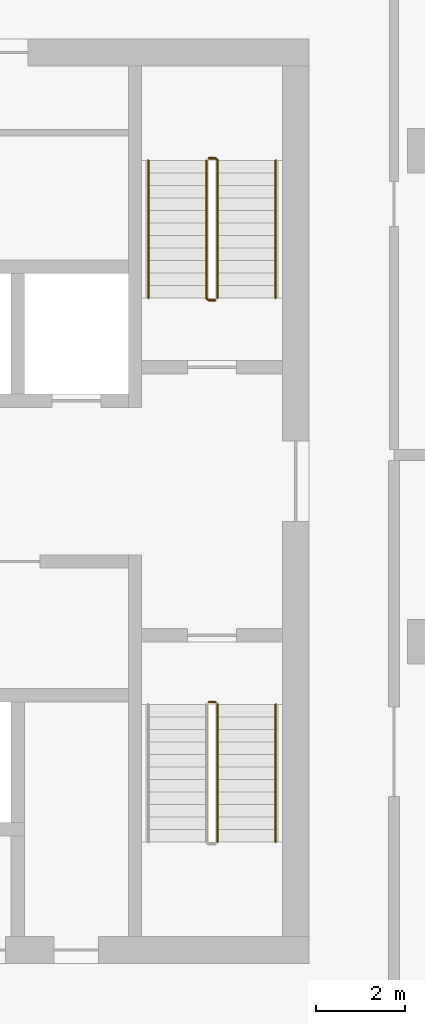
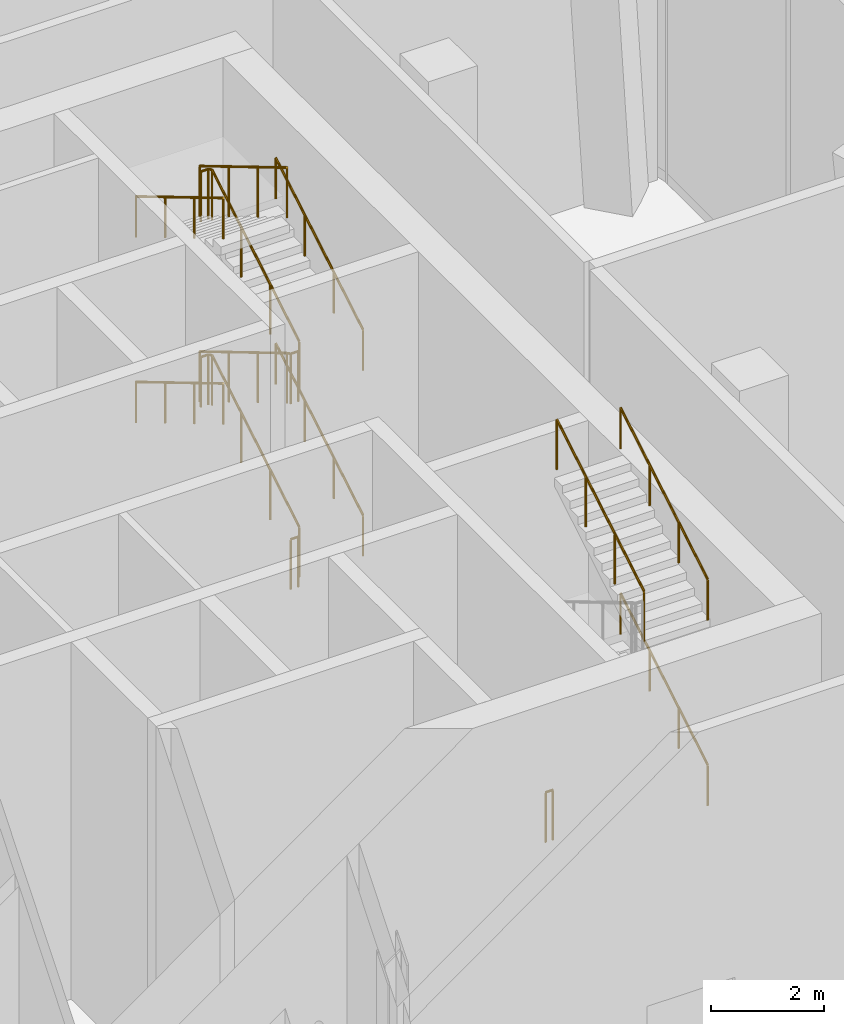
# One storey, part 12 of 13: 13 railings.
"""IFC4 building model written with IfcOpenShell, lengths in metres."""

from ifc_helpers import new_model, si_unit, direction, frame, origin, origin_2d, place, context, subcontext, project, spatial, circle, extrude, material, type_object, element, save


model = new_model("IFC4")

# Units and contexts
model_context = context("Model", 3, precision=1e-05, world=origin(), true_north=direction((0.0, 1.0)))
body_context = subcontext(model_context, "Body", "Model", "MODEL_VIEW")
ifc_project = project(units=[si_unit("LENGTHUNIT", "METRE"), si_unit("AREAUNIT", "SQUARE_METRE"), si_unit("VOLUMEUNIT", "CUBIC_METRE"), si_unit("PLANEANGLEUNIT", "RADIAN"), si_unit("MASSUNIT", "GRAM", prefix="KILO")], contexts=[model_context])

# Site, building, storey
site_placement = place(None, origin())
site = spatial("IfcSite", under=ifc_project, at=site_placement, CompositionType="ELEMENT")
building_placement = place(site_placement, origin())
building = spatial("IfcBuilding", under=site, at=building_placement, Name="Mopane Tessera Tower", CompositionType="ELEMENT")
storey_placement = place(building_placement, frame((0.0, 0.0, 337.39990234375)))
storey = spatial("IfcBuildingStorey", under=building, at=storey_placement, Name="L74", CompositionType="ELEMENT", Elevation=337.39990234375)

# Railings
ifc_material_1 = material(Name="Powder-coated steel balustrade", Category="steel")
railing_type_1 = type_object("IfcRailingType", Name="Escape stair guard 1100 mm", PredefinedType="GUARDRAIL", material=ifc_material_1)
railing_1_placement = place(storey_placement, frame((12.35009765625, -4.47998046875, 6.166748046875)))
element("IfcRailing", 1, at=railing_1_placement, inside=storey, type_object=railing_type_1, Name="L74 ST3 stair guard 4", PredefinedType="GUARDRAIL", context=body_context, shape_type="SweptSolid", body=[
    extrude(circle(Radius=0.02392578125, at=origin_2d()), frame((0.0, 0.0, 1.076171875), z_axis=(0.0, 0.859308565015, 0.511457515432), x_axis=(-1.0, 0.0, 0.0)), (0.0, 0.0, 1.0), 3.58447265625),
    extrude(circle(Radius=0.02099609375, at=origin_2d()), origin(), (0.0, 0.0, 1.0), 1.052001953125),
    extrude(circle(Radius=0.02099609375, at=origin_2d()), frame((0.0, 1.026611328125, 0.611083984375)), (0.0, 0.0, 1.0), 1.052001953125),
    extrude(circle(Radius=0.02099609375, at=origin_2d()), frame((0.0, 2.053466796875, 1.22216796875)), (0.0, 0.0, 1.0), 1.052001953125),
    extrude(circle(Radius=0.02099609375, at=origin_2d()), frame((0.0, 3.080078125, 1.833251953125)), (0.0, 0.0, 1.0), 1.052001953125),
])
railing_2_placement = place(storey_placement, frame((12.14990234375, -1.35009765625, 0.0)))
element("IfcRailing", 2, at=railing_2_placement, inside=storey, type_object=railing_type_1, Name="L74 ST3 stair guard 5", PredefinedType="GUARDRAIL", context=body_context, shape_type="SweptSolid", body=[
    extrude(circle(Radius=0.02392578125, at=origin_2d()), frame((0.0, 0.0, 1.076171875), z_axis=(1.0, 0.0, 0.0), x_axis=(0.0, 1.0, 0.0)), (0.0, 0.0, 1.0), 0.150146484375),
    extrude(circle(Radius=0.02099609375, at=origin_2d()), origin(), (0.0, 0.0, 1.0), 1.052001953125),
    extrude(circle(Radius=0.02099609375, at=origin_2d()), frame((0.150146484375, 0.0, 0.0)), (0.0, 0.0, 1.0), 1.052001953125),
])
railing_3_placement = place(storey_placement, frame((12.35009765625, 7.699951171875, 0.166748046875)))
element("IfcRailing", 3, at=railing_3_placement, inside=storey, type_object=railing_type_1, Name="L74 ST4 stair guard 1", PredefinedType="GUARDRAIL", context=body_context, shape_type="SweptSolid", body=[
    extrude(circle(Radius=0.02392578125, at=origin_2d()), frame((0.0, 0.0, 1.076171875), z_axis=(0.0, 0.859308565015, 0.511457515432), x_axis=(-1.0, 0.0, 0.0)), (0.0, 0.0, 1.0), 3.58447265625),
    extrude(circle(Radius=0.02392578125, at=origin_2d()), frame((0.0, 3.080078125, 2.9091796875), z_axis=(-0.707106781187, 0.707106781187, 0.0), x_axis=(-0.707106781187, -0.707106781187, 0.0)), (0.0, 0.0, 1.0), 0.07080078125),
    extrude(circle(Radius=0.02392578125, at=origin_2d()), frame((-0.050048828125, 3.130126953125, 2.9091796875), z_axis=(-1.0, 0.0, 0.0), x_axis=(0.0, -1.0, 0.0)), (0.0, 0.0, 1.0), 0.150146484375),
    extrude(circle(Radius=0.02099609375, at=origin_2d()), origin(), (0.0, 0.0, 1.0), 1.052001953125),
    extrude(circle(Radius=0.02099609375, at=origin_2d()), frame((0.0, 1.026611328125, 0.611083984375)), (0.0, 0.0, 1.0), 1.052001953125),
    extrude(circle(Radius=0.02099609375, at=origin_2d()), frame((0.0, 2.053466796875, 1.22216796875)), (0.0, 0.0, 1.0), 1.052001953125),
    extrude(circle(Radius=0.02099609375, at=origin_2d()), frame((0.0, 3.080078125, 1.833251953125)), (0.0, 0.0, 1.0), 1.052001953125),
    extrude(circle(Radius=0.02099609375, at=origin_2d()), frame((-0.050048828125, 3.130126953125, 1.833251953125)), (0.0, 0.0, 1.0), 1.052001953125),
    extrude(circle(Radius=0.02099609375, at=origin_2d()), frame((-0.2001953125, 3.130126953125, 1.833251953125)), (0.0, 0.0, 1.0), 1.052001953125),
])
railing_4_placement = place(storey_placement, frame((12.10009765625, 10.780029296875, 2.166748046875)))
element("IfcRailing", 4, at=railing_4_placement, inside=storey, type_object=railing_type_1, Name="L74 ST4 stair guard 2", PredefinedType="GUARDRAIL", context=body_context, shape_type="SweptSolid", body=[
    extrude(circle(Radius=0.02392578125, at=origin_2d()), frame((0.0, 0.0, 1.076171875), z_axis=(0.0, -0.859308565015, 0.511457515432), x_axis=(1.0, 0.0, 0.0)), (0.0, 0.0, 1.0), 3.58447265625),
    extrude(circle(Radius=0.02392578125, at=origin_2d()), frame((0.0, -3.080078125, 2.9091796875), z_axis=(0.705375805398, -0.708833529934, 0.0), x_axis=(0.708833529934, 0.705375805398, 0.0)), (0.0, 0.0, 1.0), 0.070556640625),
    extrude(circle(Radius=0.02392578125, at=origin_2d()), frame((0.0498046875, -3.130126953125, 2.9091796875), z_axis=(1.0, 0.0, 0.0), x_axis=(0.0, 1.0, 0.0)), (0.0, 0.0, 1.0), 0.150146484375),
    extrude(circle(Radius=0.02099609375, at=origin_2d()), origin(), (0.0, 0.0, 1.0), 1.052001953125),
    extrude(circle(Radius=0.02099609375, at=origin_2d()), frame((0.0, -1.026611328125, 0.611083984375)), (0.0, 0.0, 1.0), 1.052001953125),
    extrude(circle(Radius=0.02099609375, at=origin_2d()), frame((0.0, -2.053466796875, 1.22216796875)), (0.0, 0.0, 1.0), 1.052001953125),
    extrude(circle(Radius=0.02099609375, at=origin_2d()), frame((0.0, -3.080078125, 1.833251953125)), (0.0, 0.0, 1.0), 1.052001953125),
    extrude(circle(Radius=0.02099609375, at=origin_2d()), frame((0.0498046875, -3.130126953125, 1.833251953125)), (0.0, 0.0, 1.0), 1.052001953125),
    extrude(circle(Radius=0.02099609375, at=origin_2d()), frame((0.199951171875, -3.130126953125, 1.833251953125)), (0.0, 0.0, 1.0), 1.052001953125),
])
railing_5_placement = place(storey_placement, frame((12.35009765625, 7.699951171875, 4.166748046875)))
element("IfcRailing", 5, at=railing_5_placement, inside=storey, type_object=railing_type_1, Name="L74 ST4 stair guard 3", PredefinedType="GUARDRAIL", context=body_context, shape_type="SweptSolid", body=[
    extrude(circle(Radius=0.02392578125, at=origin_2d()), frame((0.0, 0.0, 1.076171875), z_axis=(0.0, 0.859308565015, 0.511457515432), x_axis=(-1.0, 0.0, 0.0)), (0.0, 0.0, 1.0), 3.58447265625),
    extrude(circle(Radius=0.02392578125, at=origin_2d()), frame((0.0, 3.080078125, 2.9091796875), z_axis=(-0.707106781187, 0.707106781187, 0.0), x_axis=(-0.707106781187, -0.707106781187, 0.0)), (0.0, 0.0, 1.0), 0.07080078125),
    extrude(circle(Radius=0.02392578125, at=origin_2d()), frame((-0.050048828125, 3.130126953125, 2.9091796875), z_axis=(-1.0, 0.0, 0.0), x_axis=(0.0, -1.0, 0.0)), (0.0, 0.0, 1.0), 0.150146484375),
    extrude(circle(Radius=0.02099609375, at=origin_2d()), origin(), (0.0, 0.0, 1.0), 1.052001953125),
    extrude(circle(Radius=0.02099609375, at=origin_2d()), frame((0.0, 1.026611328125, 0.611083984375)), (0.0, 0.0, 1.0), 1.052001953125),
    extrude(circle(Radius=0.02099609375, at=origin_2d()), frame((0.0, 2.053466796875, 1.22216796875)), (0.0, 0.0, 1.0), 1.052001953125),
    extrude(circle(Radius=0.02099609375, at=origin_2d()), frame((0.0, 3.080078125, 1.833251953125)), (0.0, 0.0, 1.0), 1.052001953125),
    extrude(circle(Radius=0.02099609375, at=origin_2d()), frame((-0.050048828125, 3.130126953125, 1.833251953125)), (0.0, 0.0, 1.0), 1.052001953125),
    extrude(circle(Radius=0.02099609375, at=origin_2d()), frame((-0.2001953125, 3.130126953125, 1.833251953125)), (0.0, 0.0, 1.0), 1.052001953125),
])
railing_6_placement = place(storey_placement, frame((12.10009765625, 10.780029296875, 6.166748046875)))
element("IfcRailing", 6, at=railing_6_placement, inside=storey, type_object=railing_type_1, Name="L74 ST4 stair guard 4", PredefinedType="GUARDRAIL", context=body_context, shape_type="SweptSolid", body=[
    extrude(circle(Radius=0.02392578125, at=origin_2d()), frame((0.0, 0.0, 1.076171875), z_axis=(0.0, -0.859308565015, 0.511457515432), x_axis=(1.0, 0.0, 0.0)), (0.0, 0.0, 1.0), 3.58447265625),
    extrude(circle(Radius=0.02099609375, at=origin_2d()), origin(), (0.0, 0.0, 1.0), 1.052001953125),
    extrude(circle(Radius=0.02099609375, at=origin_2d()), frame((0.0, -1.026611328125, 0.611083984375)), (0.0, 0.0, 1.0), 1.052001953125),
    extrude(circle(Radius=0.02099609375, at=origin_2d()), frame((0.0, -2.053466796875, 1.22216796875)), (0.0, 0.0, 1.0), 1.052001953125),
    extrude(circle(Radius=0.02099609375, at=origin_2d()), frame((0.0, -3.080078125, 1.833251953125)), (0.0, 0.0, 1.0), 1.052001953125),
])
railing_7_placement = place(storey_placement, frame((12.300048828125, 7.64990234375, 0.0)))
element("IfcRailing", 7, at=railing_7_placement, inside=storey, type_object=railing_type_1, Name="L74 ST4 stair guard 5", PredefinedType="GUARDRAIL", context=body_context, shape_type="SweptSolid", body=[
    extrude(circle(Radius=0.02392578125, at=origin_2d()), frame((0.0, 0.0, 1.076171875), z_axis=(-1.0, 0.0, 0.0), x_axis=(0.0, -1.0, 0.0)), (0.0, 0.0, 1.0), 0.150146484375),
    extrude(circle(Radius=0.02099609375, at=origin_2d()), origin(), (0.0, 0.0, 1.0), 1.052001953125),
    extrude(circle(Radius=0.02099609375, at=origin_2d()), frame((-0.150146484375, 0.0, 0.0)), (0.0, 0.0, 1.0), 1.052001953125),
])
ifc_material_2 = material(Name="Powder-coated steel balustrade", Category="steel")
railing_type_2 = type_object("IfcRailingType", Name="Escape stair handrail 900 mm", PredefinedType="HANDRAIL", material=ifc_material_2)
for number, where, name in (
    (8, (13.64990234375, -4.47998046875, 2.166748046875), "L74 ST3 stair handrail 2"),
    (9, (13.64990234375, -4.47998046875, 6.166748046875), "L74 ST3 stair handrail 4"),
    (10, (13.64990234375, 7.699951171875, 0.166748046875), "L74 ST4 stair handrail 1"),
):
    element("IfcRailing", number, at=place(storey_placement, frame(where)), inside=storey, type_object=railing_type_2, Name=name, PredefinedType="HANDRAIL", context=body_context, shape_type="SweptSolid", body=[
        extrude(circle(Radius=0.02392578125, at=origin_2d()), frame((0.0, 0.0, 0.8759765625), z_axis=(0.0, 0.859308565015, 0.511457515432), x_axis=(-1.0, 0.0, 0.0)), (0.0, 0.0, 1.0), 3.58447265625),
        extrude(circle(Radius=0.02099609375, at=origin_2d()), origin(), (0.0, 0.0, 1.0), 0.851806640625),
        extrude(circle(Radius=0.02099609375, at=origin_2d()), frame((0.0, 1.026611328125, 0.611083984375)), (0.0, 0.0, 1.0), 0.851806640625),
        extrude(circle(Radius=0.02099609375, at=origin_2d()), frame((0.0, 2.053466796875, 1.22216796875)), (0.0, 0.0, 1.0), 0.851806640625),
        extrude(circle(Radius=0.02099609375, at=origin_2d()), frame((0.0, 3.080078125, 1.833251953125)), (0.0, 0.0, 1.0), 0.851806640625),
    ])
railing_8_placement = place(storey_placement, frame((10.800048828125, 10.780029296875, 2.166748046875)))
element("IfcRailing", 11, at=railing_8_placement, inside=storey, type_object=railing_type_2, Name="L74 ST4 stair handrail 2", PredefinedType="HANDRAIL", context=body_context, shape_type="SweptSolid", body=[
    extrude(circle(Radius=0.02392578125, at=origin_2d()), frame((0.0, 0.0, 0.8759765625), z_axis=(0.0, -0.859308565015, 0.511457515432), x_axis=(1.0, 0.0, 0.0)), (0.0, 0.0, 1.0), 3.58447265625),
    extrude(circle(Radius=0.02099609375, at=origin_2d()), origin(), (0.0, 0.0, 1.0), 0.851806640625),
    extrude(circle(Radius=0.02099609375, at=origin_2d()), frame((0.0, -1.026611328125, 0.611083984375)), (0.0, 0.0, 1.0), 0.851806640625),
    extrude(circle(Radius=0.02099609375, at=origin_2d()), frame((0.0, -2.053466796875, 1.22216796875)), (0.0, 0.0, 1.0), 0.851806640625),
    extrude(circle(Radius=0.02099609375, at=origin_2d()), frame((0.0, -3.080078125, 1.833251953125)), (0.0, 0.0, 1.0), 0.851806640625),
])
railing_9_placement = place(storey_placement, frame((13.64990234375, 7.699951171875, 4.166748046875)))
element("IfcRailing", 12, at=railing_9_placement, inside=storey, type_object=railing_type_2, Name="L74 ST4 stair handrail 3", PredefinedType="HANDRAIL", context=body_context, shape_type="SweptSolid", body=[
    extrude(circle(Radius=0.02392578125, at=origin_2d()), frame((0.0, 0.0, 0.8759765625), z_axis=(0.0, 0.859308565015, 0.511457515432), x_axis=(-1.0, 0.0, 0.0)), (0.0, 0.0, 1.0), 3.58447265625),
    extrude(circle(Radius=0.02099609375, at=origin_2d()), origin(), (0.0, 0.0, 1.0), 0.851806640625),
    extrude(circle(Radius=0.02099609375, at=origin_2d()), frame((0.0, 1.026611328125, 0.611083984375)), (0.0, 0.0, 1.0), 0.851806640625),
    extrude(circle(Radius=0.02099609375, at=origin_2d()), frame((0.0, 2.053466796875, 1.22216796875)), (0.0, 0.0, 1.0), 0.851806640625),
    extrude(circle(Radius=0.02099609375, at=origin_2d()), frame((0.0, 3.080078125, 1.833251953125)), (0.0, 0.0, 1.0), 0.851806640625),
])
railing_10_placement = place(storey_placement, frame((10.800048828125, 10.780029296875, 6.166748046875)))
element("IfcRailing", 13, at=railing_10_placement, inside=storey, type_object=railing_type_2, Name="L74 ST4 stair handrail 4", PredefinedType="HANDRAIL", context=body_context, shape_type="SweptSolid", body=[
    extrude(circle(Radius=0.02392578125, at=origin_2d()), frame((0.0, 0.0, 0.8759765625), z_axis=(0.0, -0.859308565015, 0.511457515432), x_axis=(1.0, 0.0, 0.0)), (0.0, 0.0, 1.0), 3.58447265625),
    extrude(circle(Radius=0.02099609375, at=origin_2d()), origin(), (0.0, 0.0, 1.0), 0.851806640625),
    extrude(circle(Radius=0.02099609375, at=origin_2d()), frame((0.0, -1.026611328125, 0.611083984375)), (0.0, 0.0, 1.0), 0.851806640625),
    extrude(circle(Radius=0.02099609375, at=origin_2d()), frame((0.0, -2.053466796875, 1.22216796875)), (0.0, 0.0, 1.0), 0.851806640625),
    extrude(circle(Radius=0.02099609375, at=origin_2d()), frame((0.0, -3.080078125, 1.833251953125)), (0.0, 0.0, 1.0), 0.851806640625),
])

save(model, "model.ifc")
